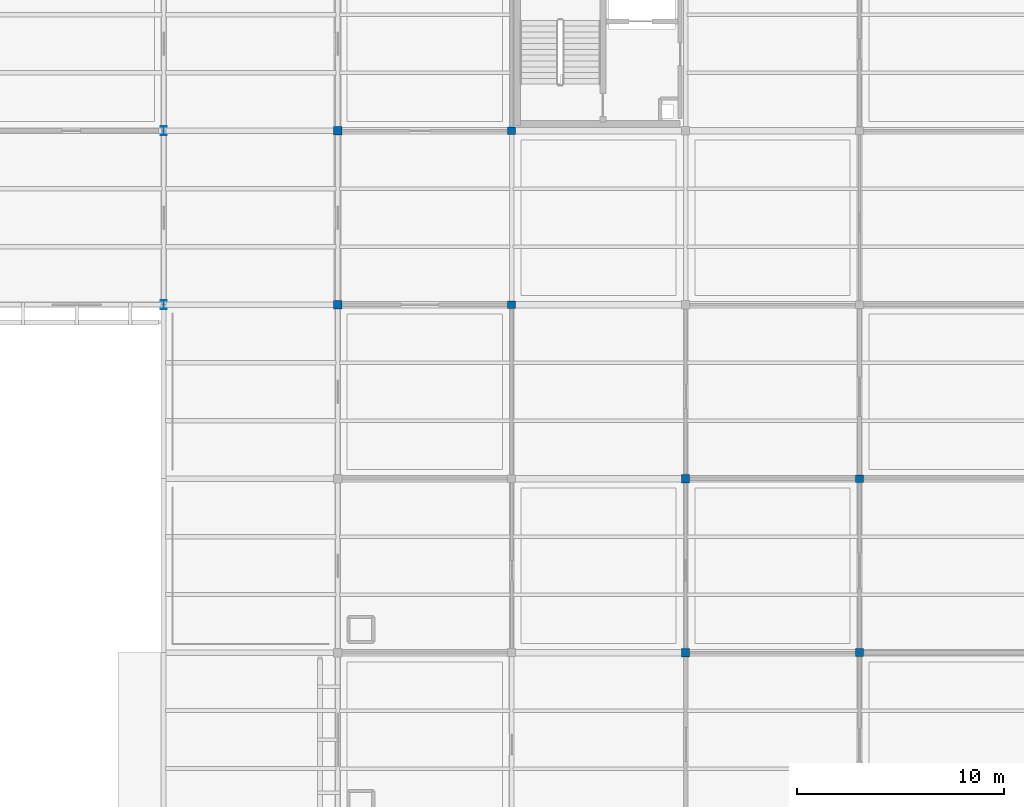
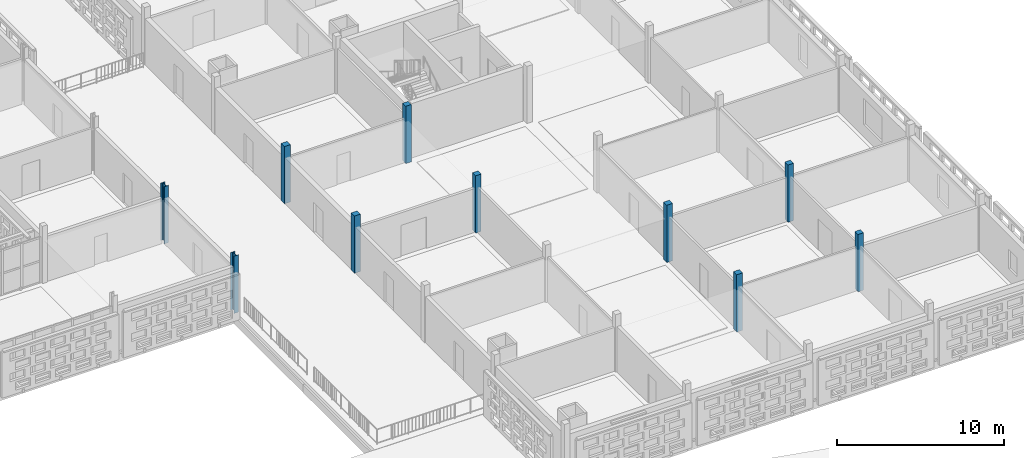
# One storey, part 10 of 140: 10 columns.
"""IFC4 building model written with IfcOpenShell, lengths in metres."""

from ifc_helpers import new_model, si_unit, direction, frame, origin, origin_2d, place, context, subcontext, project, spatial, rectangle, i_section, extrude, material, material_profile, profile_set, type_object, element, save


model = new_model("IFC4")

# Units and contexts
model_context = context("Model", 3, precision=1e-05, world=origin(), true_north=direction((0.0, 1.0)))
body_context = subcontext(model_context, "Body", "Model", "MODEL_VIEW")
ifc_project = project(units=[si_unit("LENGTHUNIT", "METRE"), si_unit("AREAUNIT", "SQUARE_METRE"), si_unit("VOLUMEUNIT", "CUBIC_METRE"), si_unit("PLANEANGLEUNIT", "RADIAN"), si_unit("MASSUNIT", "GRAM", prefix="KILO")], contexts=[model_context])

# Site, building, storey
site_placement = place(None, origin())
site = spatial("IfcSite", under=ifc_project, at=site_placement, CompositionType="ELEMENT")
building_placement = place(site_placement, origin())
building = spatial("IfcBuilding", under=site, at=building_placement, Name="Varnapada Polytechnic", CompositionType="ELEMENT")
storey_placement = place(building_placement, frame((0.0, 0.0, 13.800048828125)))
storey = spatial("IfcBuildingStorey", under=building, at=storey_placement, Name="L03", CompositionType="ELEMENT", Elevation=13.800048828125)

# Columns
ifc_material_1 = material(Name="Steel S355", Category="steel")
ifc_material_profile_1 = material_profile(ifc_material_1, i_section(OverallWidth=0.300048828125, OverallDepth=0.449951171875, WebThickness=0.013916015625, FlangeThickness=0.02587890625, FilletRadius=0.027099609375, at=origin_2d()), Name="HEB 450")
ifc_profile_set_1 = profile_set([ifc_material_profile_1], Name="Steel S355")
column_type_1 = type_object("IfcColumnType", Name="Column C-07 (HEB 450)", PredefinedType="COLUMN", material=ifc_profile_set_1)
column_1_placement = place(storey_placement, frame((134.39990234375, 92.39990234375, 0.0), z_axis=(0.0, 0.0, 1.0), x_axis=(1.0, 0.0, 0.0)))
element("IfcColumn", 1, at=column_1_placement, inside=storey, type_object=column_type_1, Name="L03 column 17/12", PredefinedType="COLUMN", context=body_context, shape_type="SweptSolid", body=[
    extrude(i_section(OverallWidth=0.300048828125, OverallDepth=0.449951171875, WebThickness=0.013916015625, FlangeThickness=0.02587890625, FilletRadius=0.027099609375, at=origin_2d()), origin(), (0.0, 0.0, 1.0), 4.199951171875),
])
ifc_material_2 = material(Name="Glulam GL32h", Category="wood")
ifc_material_profile_2 = material_profile(ifc_material_2, rectangle(XDim=0.39990234375, YDim=0.39990234375, at=origin_2d()), Name="GL 400x400")
ifc_profile_set_2 = profile_set([ifc_material_profile_2], Name="Glulam GL32h")
column_type_2 = type_object("IfcColumnType", Name="Column C-13 (GL 400x400)", PredefinedType="COLUMN", material=ifc_profile_set_2)
for number, where, z_axis, x_axis, name in (
    (2, (142.800048828125, 84.0, 0.0), (0.0, 0.0, 1.0), (1.0, 0.0, 0.0), "L03 column 18/11"),
    (3, (142.800048828125, 92.39990234375, 0.0), (0.0, 0.0, 1.0), (1.0, 0.0, 0.0), "L03 column 18/12"),
    (4, (159.60009765625, 67.199951171875, 0.0), (0.0, 0.0, 1.0), (1.0, 0.0, 0.0), "L03 column 20/9"),
    (5, (159.60009765625, 75.60009765625, 0.0), (0.0, 0.0, 1.0), (1.0, 0.0, 0.0), "L03 column 20/10"),
):
    element("IfcColumn", number, at=place(storey_placement, frame(where, z_axis=z_axis, x_axis=x_axis)), inside=storey, type_object=column_type_2, Name=name, PredefinedType="COLUMN", context=body_context, shape_type="SweptSolid", body=[
        extrude(rectangle(XDim=0.39990234375, YDim=0.39990234375, at=origin_2d()), origin(), (0.0, 0.0, 1.0), 4.199951171875),
    ])
ifc_material_profile_3 = material_profile(ifc_material_2, rectangle(XDim=0.3798828125, YDim=0.3798828125, at=origin_2d()), Name="GL 380x380")
ifc_profile_set_3 = profile_set([ifc_material_profile_3], Name="Glulam GL32h")
column_type_3 = type_object("IfcColumnType", Name="Column C-24 (GL 380x380)", PredefinedType="COLUMN", material=ifc_profile_set_3)
for number, where, z_axis, x_axis, name in (
    (6, (151.199951171875, 84.0, 0.0), (0.0, 0.0, 1.0), (1.0, 0.0, 0.0), "L03 column 19/11"),
    (7, (151.199951171875, 92.39990234375, 0.0), (0.0, 0.0, 1.0), (1.0, 0.0, 0.0), "L03 column 19/12"),
    (8, (168.0, 67.199951171875, 0.0), (0.0, 0.0, 1.0), (1.0, 0.0, 0.0), "L03 column 21/9"),
    (9, (168.0, 75.60009765625, 0.0), (0.0, 0.0, 1.0), (1.0, 0.0, 0.0), "L03 column 21/10"),
):
    element("IfcColumn", number, at=place(storey_placement, frame(where, z_axis=z_axis, x_axis=x_axis)), inside=storey, type_object=column_type_3, Name=name, PredefinedType="COLUMN", context=body_context, shape_type="SweptSolid", body=[
        extrude(rectangle(XDim=0.3798828125, YDim=0.3798828125, at=origin_2d()), origin(), (0.0, 0.0, 1.0), 4.199951171875),
    ])
ifc_material_profile_4 = material_profile(ifc_material_1, i_section(OverallWidth=0.300048828125, OverallDepth=0.43994140625, WebThickness=0.011474609375, FlangeThickness=0.02099609375, FilletRadius=0.027099609375, at=origin_2d()), Name="HEA 450")
ifc_profile_set_4 = profile_set([ifc_material_profile_4], Name="Steel S355")
column_type_4 = type_object("IfcColumnType", Name="Column C-30 (HEA 450)", PredefinedType="COLUMN", material=ifc_profile_set_4)
column_2_placement = place(storey_placement, frame((134.39990234375, 84.0, 0.0), z_axis=(0.0, 0.0, 1.0), x_axis=(1.0, 0.0, 0.0)))
element("IfcColumn", 10, at=column_2_placement, inside=storey, type_object=column_type_4, Name="L03 column 17/11", PredefinedType="COLUMN", context=body_context, shape_type="SweptSolid", body=[
    extrude(i_section(OverallWidth=0.300048828125, OverallDepth=0.43994140625, WebThickness=0.011474609375, FlangeThickness=0.02099609375, FilletRadius=0.027099609375, at=origin_2d()), origin(), (0.0, 0.0, 1.0), 4.199951171875),
])

save(model, "model.ifc")
